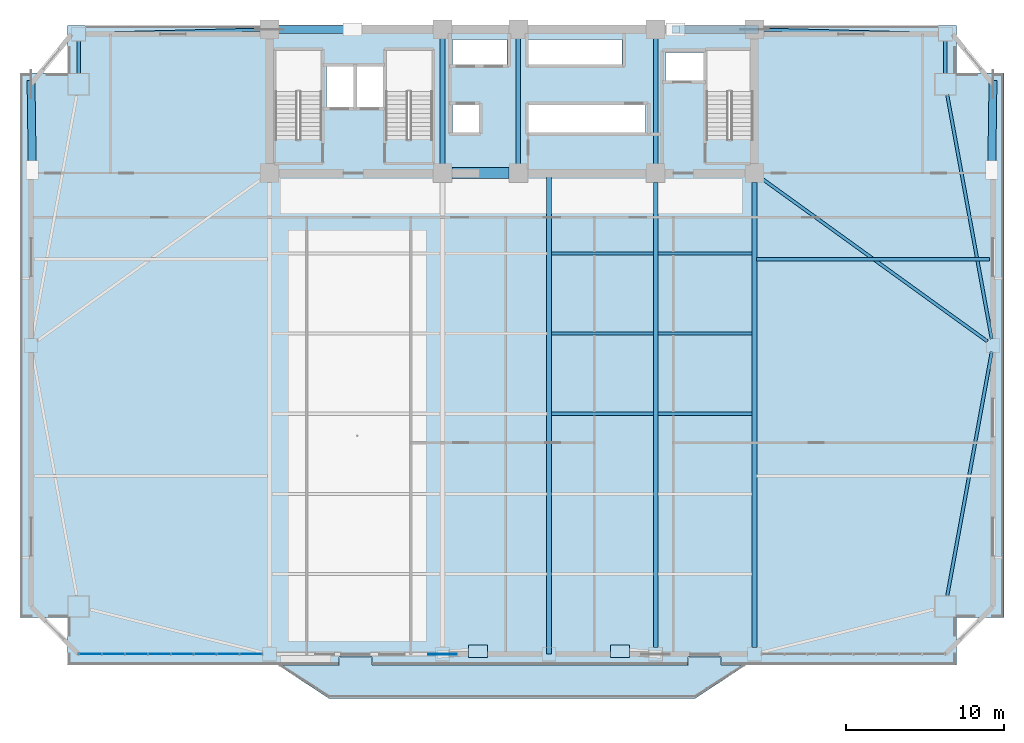
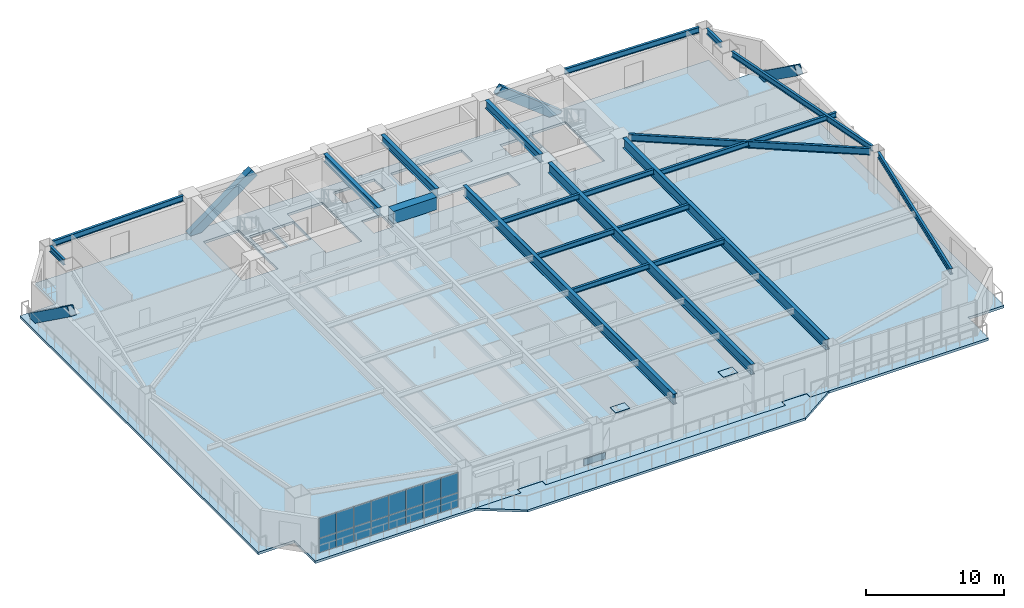
# One storey, part 6 of 15: 21 beams, 19 plates, 4 members, 2 slabs, 1 element without a shape of its own.
"""IFC4 building model written with IfcOpenShell, lengths in metres."""

from ifc_helpers import new_model, si_unit, direction, frame, origin, origin_2d, place, context, subcontext, project, spatial, polyline, rectangle, hollow_rectangle, i_section, outline, extrude, source, transform, mapped, material, layer, layer_set, material_profile, profile_set, type_object, element, aggregate, save


model = new_model("IFC4")

# Units and contexts
model_context = context("Model", 3, precision=1e-05, world=origin(), true_north=direction((0.0, 1.0)))
body_context = subcontext(model_context, "Body", "Model", "MODEL_VIEW")
ifc_project = project(units=[si_unit("LENGTHUNIT", "METRE"), si_unit("AREAUNIT", "SQUARE_METRE"), si_unit("VOLUMEUNIT", "CUBIC_METRE"), si_unit("PLANEANGLEUNIT", "RADIAN"), si_unit("MASSUNIT", "GRAM", prefix="KILO")], contexts=[model_context])

# Site, building, storey
site_placement = place(None, origin())
site = spatial("IfcSite", under=ifc_project, at=site_placement, CompositionType="ELEMENT")
building_placement = place(site_placement, origin())
building = spatial("IfcBuilding", under=site, at=building_placement, Name="Giltprow Tower", CompositionType="ELEMENT")
storey_placement = place(building_placement, frame((0.0, 0.0, 111.39990234375)))
storey = spatial("IfcBuildingStorey", under=building, at=storey_placement, Name="L27", CompositionType="ELEMENT", Elevation=111.39990234375)

# Beams
ifc_material_1 = material(Name="Concrete C60", Category="concrete")
ifc_material_profile_1 = material_profile(ifc_material_1, rectangle(XDim=0.699951171875, YDim=1.10009765625, at=origin_2d()), Name="RC 1100x700")
ifc_profile_set_1 = profile_set([ifc_material_profile_1], Name="Concrete C60")
beam_type_1 = type_object("IfcBeamType", Name="BM-CPL-RC1100", PredefinedType="LINTEL", material=ifc_profile_set_1)
shared_shape_1 = source(origin(), body_context, "Body", "SweptSolid", [
    extrude(rectangle(XDim=0.699951171875, YDim=1.10009765625, at=origin_2d()), origin(), (0.0, 0.0, 1.0), 3.6298828125),
])
beam_1_placement = place(storey_placement, frame((31.385009765625, 37.449951171875, 3.130126953125), z_axis=(1.0, 0.0, 0.0), x_axis=(0.0, 1.0, 0.0)))
element("IfcBeam", 1, at=beam_1_placement, inside=storey, type_object=beam_type_1, Name="L27 Core Coupling Beam CB-1", PredefinedType="LINTEL", context=body_context, shape_type="MappedRepresentation", body=[
    mapped(shared_shape_1, transform((0.0, 0.0, 0.0), x_axis=(1.0, 0.0, 0.0), y_axis=(0.0, 1.0, 0.0), z_axis=(0.0, 0.0, 1.0), scale=1.0)),
])
ifc_material_2 = material(Name="Structural steel Q355B", Category="steel")
ifc_material_profile_2 = material_profile(ifc_material_2, i_section(OverallWidth=0.300048828125, OverallDepth=0.699951171875, WebThickness=0.012939453125, FlangeThickness=0.02392578125, at=origin_2d()), Name="HN 700x300x13x24")
ifc_profile_set_2 = profile_set([ifc_material_profile_2], Name="Structural steel Q355B")
beam_type_2 = type_object("IfcBeamType", Name="BM-GIRD-HN700", PredefinedType="BEAM", material=ifc_profile_set_2)
shared_shape_2 = source(origin(), body_context, "Body", "SweptSolid", [
    extrude(i_section(OverallWidth=0.300048828125, OverallDepth=0.699951171875, WebThickness=0.012939453125, FlangeThickness=0.02392578125, at=origin_2d()), origin(), (0.0, 0.0, 1.0), 7.93017578125),
])
for number, where, z_axis, x_axis, name in (
    (2, (30.800048828125, 38.034912109375, 3.330078125), (0.0, 1.0, 0.0), (-1.0, 0.0, 0.0), "L27 Core Tie Girder M1"),
    (3, (35.60009765625, 38.034912109375, 3.330078125), (0.0, 1.0, 0.0), (-1.0, 0.0, 0.0), "L27 Core Tie Girder M2"),
    (4, (44.300048828125, 38.034912109375, 3.330078125), (0.0, 1.0, 0.0), (-1.0, 0.0, 0.0), "L27 Core Tie Girder M3"),
):
    element("IfcBeam", number, at=place(storey_placement, frame(where, z_axis=z_axis, x_axis=x_axis)), inside=storey, type_object=beam_type_2, Name=name, PredefinedType="BEAM", context=body_context, shape_type="MappedRepresentation", body=[
        mapped(shared_shape_2, transform((0.0, 0.0, 0.0), x_axis=(1.0, 0.0, 0.0), y_axis=(0.0, 1.0, 0.0), z_axis=(0.0, 0.0, 1.0), scale=1.0)),
    ])
ifc_material_profile_3 = material_profile(ifc_material_2, i_section(OverallWidth=0.199951171875, OverallDepth=0.449951171875, WebThickness=0.009033203125, FlangeThickness=0.013916015625, at=origin_2d()), Name="HN 450x200x9x14")
ifc_profile_set_3 = profile_set([ifc_material_profile_3], Name="Structural steel Q355B")
beam_type_3 = type_object("IfcBeamType", Name="BM-JOIST-HN450", PredefinedType="JOIST", material=ifc_profile_set_3)
shared_shape_3 = source(origin(), body_context, "Body", "SweptSolid", [
    extrude(i_section(OverallWidth=0.199951171875, OverallDepth=0.449951171875, WebThickness=0.009033203125, FlangeThickness=0.013916015625, at=origin_2d()), origin(), (0.0, 0.0, 1.0), 6.4599609375),
])
for number, where, z_axis, x_axis, name in (
    (5, (37.695068359375, 22.219970703125, 3.455078125), (1.0, 0.0, 0.0), (0.0, 1.0, 0.0), "L27 Composite Floor Joist 3-3"),
    (6, (37.695068359375, 27.297119140625, 3.455078125), (1.0, 0.0, 0.0), (0.0, 1.0, 0.0), "L27 Composite Floor Joist 4-3"),
    (7, (37.695068359375, 32.373046875, 3.455078125), (1.0, 0.0, 0.0), (0.0, 1.0, 0.0), "L27 Composite Floor Joist 5-3"),
):
    element("IfcBeam", number, at=place(storey_placement, frame(where, z_axis=z_axis, x_axis=x_axis)), inside=storey, type_object=beam_type_3, Name=name, PredefinedType="JOIST", context=body_context, shape_type="MappedRepresentation", body=[
        mapped(shared_shape_3, transform((0.0, 0.0, 0.0), x_axis=(1.0, 0.0, 0.0), y_axis=(0.0, 1.0, 0.0), z_axis=(0.0, 0.0, 1.0), scale=1.0)),
    ])
shared_shape_4 = source(origin(), body_context, "Body", "SweptSolid", [
    extrude(i_section(OverallWidth=0.199951171875, OverallDepth=0.449951171875, WebThickness=0.009033203125, FlangeThickness=0.013916015625, at=origin_2d()), origin(), (0.0, 0.0, 1.0), 5.9599609375),
])
for number, where, z_axis, x_axis, name in (
    (8, (44.445068359375, 22.219970703125, 3.455078125), (1.0, 0.0, 0.0), (0.0, 1.0, 0.0), "L27 Composite Floor Joist 3-4"),
    (9, (44.445068359375, 27.297119140625, 3.455078125), (1.0, 0.0, 0.0), (0.0, 1.0, 0.0), "L27 Composite Floor Joist 4-4"),
    (10, (44.445068359375, 32.373046875, 3.455078125), (1.0, 0.0, 0.0), (0.0, 1.0, 0.0), "L27 Composite Floor Joist 5-4"),
):
    element("IfcBeam", number, at=place(storey_placement, frame(where, z_axis=z_axis, x_axis=x_axis)), inside=storey, type_object=beam_type_3, Name=name, PredefinedType="JOIST", context=body_context, shape_type="MappedRepresentation", body=[
        mapped(shared_shape_4, transform((0.0, 0.0, 0.0), x_axis=(1.0, 0.0, 0.0), y_axis=(0.0, 1.0, 0.0), z_axis=(0.0, 0.0, 1.0), scale=1.0)),
    ])
ifc_material_profile_4 = material_profile(ifc_material_2, i_section(OverallWidth=0.199951171875, OverallDepth=0.5, WebThickness=0.010009765625, FlangeThickness=0.01611328125, at=origin_2d()), Name="HN 500x200x10x16")
ifc_profile_set_4 = profile_set([ifc_material_profile_4], Name="Structural steel Q355B")
beam_type_4 = type_object("IfcBeamType", Name="BM-SPAN-HN500", PredefinedType="SPANDREL", material=ifc_profile_set_4)
shared_shape_5 = source(origin(), body_context, "Body", "SweptSolid", [
    extrude(i_section(OverallWidth=0.199951171875, OverallDepth=0.5, WebThickness=0.010009765625, FlangeThickness=0.01611328125, at=origin_2d()), origin(), (0.0, 0.0, 1.0), 15.690673828125),
])
for number, where, z_axis, x_axis, name in (
    (11, (62.761962890625, 10.680908203125, 3.43017578125), (0.179463224787, 0.983764682711, 0.0), (-0.983764682711, 0.179463224787, 0.0), "L27 Perimeter Spandrel Beam MC_SE-E_MID"),
    (12, (65.577880859375, 26.972900390625, 3.43017578125), (-0.179463224787, 0.983764682711, 0.0), (-0.983764682711, -0.179463224787, 0.0), "L27 Perimeter Spandrel Beam E_MID-MC_NE"),
):
    element("IfcBeam", number, at=place(storey_placement, frame(where, z_axis=z_axis, x_axis=x_axis)), inside=storey, type_object=beam_type_4, Name=name, PredefinedType="SPANDREL", context=body_context, shape_type="MappedRepresentation", body=[
        mapped(shared_shape_5, transform((0.0, 0.0, 0.0), x_axis=(1.0, 0.0, 0.0), y_axis=(0.0, 1.0, 0.0), z_axis=(0.0, 0.0, 1.0), scale=1.0)),
    ])
shared_shape_6 = source(origin(), body_context, "Body", "SweptSolid", [
    extrude(i_section(OverallWidth=0.199951171875, OverallDepth=0.5, WebThickness=0.010009765625, FlangeThickness=0.01611328125, at=origin_2d()), origin(), (0.0, 0.0, 1.0), 2.046875),
])
for number, where, z_axis, x_axis, name in (
    (13, (62.638916015625, 43.76806640625, 3.43017578125), (0.0, 1.0, 0.0), (-1.0, 0.0, 0.0), "L27 Perimeter Spandrel Beam MC_NE-N_E"),
    (14, (7.760986328125, 45.81494140625, 3.43017578125), (0.0, -1.0, 0.0), (1.0, 0.0, 0.0), "L27 Perimeter Spandrel Beam N_W-MC_NW"),
):
    element("IfcBeam", number, at=place(storey_placement, frame(where, z_axis=z_axis, x_axis=x_axis)), inside=storey, type_object=beam_type_4, Name=name, PredefinedType="SPANDREL", context=body_context, shape_type="MappedRepresentation", body=[
        mapped(shared_shape_6, transform((0.0, 0.0, 0.0), x_axis=(1.0, 0.0, 0.0), y_axis=(0.0, 1.0, 0.0), z_axis=(0.0, 0.0, 1.0), scale=1.0)),
    ])
shared_shape_7 = source(origin(), body_context, "Body", "SweptSolid", [
    extrude(i_section(OverallWidth=0.199951171875, OverallDepth=0.5, WebThickness=0.010009765625, FlangeThickness=0.01611328125, at=origin_2d()), origin(), (0.0, 0.0, 1.0), 11.072265625),
])
beam_2_placement = place(storey_placement, frame((8.196044921875, 46.260986328125, 3.43017578125), z_axis=(0.999693922381, 0.024739877827, 0.0), x_axis=(-0.024739877827, 0.999693922381, 0.0)))
element("IfcBeam", 15, at=beam_2_placement, inside=storey, type_object=beam_type_4, Name="L27 North Wing Spandrel W", PredefinedType="SPANDREL", context=body_context, shape_type="MappedRepresentation", body=[
    mapped(shared_shape_7, transform((0.0, 0.0, 0.0), x_axis=(1.0, 0.0, 0.0), y_axis=(0.0, 1.0, 0.0), z_axis=(0.0, 0.0, 1.0), scale=1.0)),
])
shared_shape_8 = source(origin(), body_context, "Body", "SweptSolid", [
    extrude(i_section(OverallWidth=0.199951171875, OverallDepth=0.5, WebThickness=0.010009765625, FlangeThickness=0.01611328125, at=origin_2d()), origin(), (0.0, 0.0, 1.0), 11.072509765625),
])
beam_3_placement = place(storey_placement, frame((51.135009765625, 46.534912109375, 3.43017578125), z_axis=(0.999693935876, -0.024739332496, 0.0), x_axis=(0.024739332496, 0.999693935876, 0.0)))
element("IfcBeam", 16, at=beam_3_placement, inside=storey, type_object=beam_type_4, Name="L27 North Wing Spandrel E", PredefinedType="SPANDREL", context=body_context, shape_type="MappedRepresentation", body=[
    mapped(shared_shape_8, transform((0.0, 0.0, 0.0), x_axis=(1.0, 0.0, 0.0), y_axis=(0.0, 1.0, 0.0), z_axis=(0.0, 0.0, 1.0), scale=1.0)),
])
ifc_material_profile_5 = material_profile(ifc_material_2, i_section(OverallWidth=0.300048828125, OverallDepth=0.89990234375, WebThickness=0.01611328125, FlangeThickness=0.028076171875, at=origin_2d()), Name="HN 900x300x16x28")
ifc_profile_set_5 = profile_set([ifc_material_profile_5], Name="Structural steel Q355B")
beam_type_5 = type_object("IfcBeamType", Name="BM-GIRD-HN900", PredefinedType="BEAM", material=ifc_profile_set_5)
shared_shape_9 = source(origin(), body_context, "Body", "SweptSolid", [
    extrude(i_section(OverallWidth=0.300048828125, OverallDepth=0.89990234375, WebThickness=0.01611328125, FlangeThickness=0.028076171875, at=origin_2d()), origin(), (0.0, 0.0, 1.0), 29.43994140625),
])
for number, where, z_axis, x_axis, name in (
    (17, (44.300048828125, 7.425048828125, 3.22998046875), (0.0, 1.0, 0.0), (-1.0, 0.0, 0.0), "L27 Primary Lease Girder S3"),
    (18, (50.550048828125, 7.425048828125, 3.22998046875), (0.0, 1.0, 0.0), (-1.0, 0.0, 0.0), "L27 Primary Lease Girder S4"),
):
    element("IfcBeam", number, at=place(storey_placement, frame(where, z_axis=z_axis, x_axis=x_axis)), inside=storey, type_object=beam_type_5, Name=name, PredefinedType="BEAM", context=body_context, shape_type="MappedRepresentation", body=[
        mapped(shared_shape_9, transform((0.0, 0.0, 0.0), x_axis=(1.0, 0.0, 0.0), y_axis=(0.0, 1.0, 0.0), z_axis=(0.0, 0.0, 1.0), scale=1.0)),
    ])
shared_shape_10 = source(origin(), body_context, "Body", "SweptSolid", [
    extrude(i_section(OverallWidth=0.300048828125, OverallDepth=0.89990234375, WebThickness=0.01611328125, FlangeThickness=0.028076171875, at=origin_2d()), origin(), (0.0, 0.0, 1.0), 30.4599609375),
])
beam_4_placement = place(storey_placement, frame((37.550048828125, 6.989990234375, 3.22998046875), z_axis=(0.0, 1.0, 0.0), x_axis=(-1.0, 0.0, 0.0)))
element("IfcBeam", 19, at=beam_4_placement, inside=storey, type_object=beam_type_5, Name="L27 Central Lease Girder SMID", PredefinedType="BEAM", context=body_context, shape_type="MappedRepresentation", body=[
    mapped(shared_shape_10, transform((0.0, 0.0, 0.0), x_axis=(1.0, 0.0, 0.0), y_axis=(0.0, 1.0, 0.0), z_axis=(0.0, 0.0, 1.0), scale=1.0)),
])
ifc_material_profile_6 = material_profile(ifc_material_2, i_section(OverallWidth=0.199951171875, OverallDepth=0.60009765625, WebThickness=0.010986328125, FlangeThickness=0.01708984375, at=origin_2d()), Name="HN 600x200x11x17")
ifc_profile_set_6 = profile_set([ifc_material_profile_6], Name="Structural steel Q355B")
beam_type_6 = type_object("IfcBeamType", Name="BM-GIRD-HN600", PredefinedType="BEAM", material=ifc_profile_set_6)
shared_shape_11 = source(origin(), body_context, "Body", "SweptSolid", [
    extrude(i_section(OverallWidth=0.199951171875, OverallDepth=0.60009765625, WebThickness=0.010986328125, FlangeThickness=0.01708984375, at=origin_2d()), origin(), (0.0, 0.0, 1.0), 17.61083984375),
])
beam_5_placement = place(storey_placement, frame((65.302978515625, 26.800048828125, 3.380126953125), z_axis=(-0.810808250373, 0.585311866552, 0.0), x_axis=(-0.585311866552, -0.810808250373, 0.0)))
element("IfcBeam", 20, at=beam_5_placement, inside=storey, type_object=beam_type_6, Name="L27 East Wing Primary Girder", PredefinedType="BEAM", context=body_context, shape_type="MappedRepresentation", body=[
    mapped(shared_shape_11, transform((0.0, 0.0, 0.0), x_axis=(1.0, 0.0, 0.0), y_axis=(0.0, 1.0, 0.0), z_axis=(0.0, 0.0, 1.0), scale=1.0)),
])
shared_shape_12 = source(origin(), body_context, "Body", "SweptSolid", [
    extrude(i_section(OverallWidth=0.199951171875, OverallDepth=0.449951171875, WebThickness=0.009033203125, FlangeThickness=0.013916015625, at=origin_2d()), origin(), (0.0, 0.0, 1.0), 14.740966796875),
])
beam_6_placement = place(storey_placement, frame((50.695068359375, 31.998046875, 3.455078125), z_axis=(1.0, 0.0, 0.0), x_axis=(0.0, 1.0, 0.0)))
element("IfcBeam", 21, at=beam_6_placement, inside=storey, type_object=beam_type_3, Name="L27 East Wing Floor Joist 2", PredefinedType="JOIST", context=body_context, shape_type="MappedRepresentation", body=[
    mapped(shared_shape_12, transform((0.0, 0.0, 0.0), x_axis=(1.0, 0.0, 0.0), y_axis=(0.0, 1.0, 0.0), z_axis=(0.0, 0.0, 1.0), scale=1.0)),
])

# Members
ifc_material_3 = material(Name="Structural steel Q420GJC", Category="steel")
ifc_material_profile_7 = material_profile(ifc_material_3, hollow_rectangle(XDim=0.5, YDim=0.800048828125, WallThickness=0.035888671875, at=origin_2d()), Name="RHS 800x500x36")
ifc_profile_set_7 = profile_set([ifc_material_profile_7], Name="Structural steel Q420GJC")
member_type = type_object("IfcMemberType", Name="MBR-MEGA-RHS800", PredefinedType="BRACE", material=ifc_profile_set_7)
shared_shape_13 = source(origin(), body_context, "Body", "SweptSolid", [
    extrude(hollow_rectangle(XDim=0.5, YDim=0.800048828125, WallThickness=0.035888671875, at=origin_2d()), origin(), (0.0, 0.0, 1.0), 6.5400390625),
])
member_1_placement = place(storey_placement, frame((19.85009765625, 46.550048828125, -0.139892578125), z_axis=(0.802750995836, 0.0, 0.596314379068), x_axis=(0.0, 1.0, 0.0)))
element("IfcMember", 22, at=member_1_placement, inside=storey, type_object=member_type, Name="L27 Chevron Mega-Brace N-L", PredefinedType="BRACE", context=body_context, shape_type="MappedRepresentation", body=[
    mapped(shared_shape_13, transform((0.0, 0.0, 0.0), x_axis=(1.0, 0.0, 0.0), y_axis=(0.0, 1.0, 0.0), z_axis=(0.0, 0.0, 1.0), scale=1.0)),
])
shared_shape_14 = source(origin(), body_context, "Body", "SweptSolid", [
    extrude(hollow_rectangle(XDim=0.5, YDim=0.800048828125, WallThickness=0.035888671875, at=origin_2d()), origin(), (0.0, 0.0, 1.0), 6.327880859375),
])
member_2_placement = place(storey_placement, frame((50.550048828125, 46.550048828125, -0.139892578125), z_axis=(-0.787501744349, 0.0, 0.616312422921), x_axis=(0.0, -1.0, 0.0)))
element("IfcMember", 23, at=member_2_placement, inside=storey, type_object=member_type, Name="L27 Chevron Mega-Brace N-R", PredefinedType="BRACE", context=body_context, shape_type="MappedRepresentation", body=[
    mapped(shared_shape_14, transform((0.0, 0.0, 0.0), x_axis=(1.0, 0.0, 0.0), y_axis=(0.0, 1.0, 0.0), z_axis=(0.0, 0.0, 1.0), scale=1.0)),
])
shared_shape_15 = source(origin(), body_context, "Body", "SweptSolid", [
    extrude(hollow_rectangle(XDim=0.5, YDim=0.800048828125, WallThickness=0.035888671875, at=origin_2d()), origin(), (0.0, 0.0, 1.0), 6.681884765625),
])
for number, where, z_axis, x_axis, name in (
    (24, (4.743896484375, 43.0830078125, 0.0), (0.011691953402, -0.811896551673, 0.583684236217), (0.999896324719, 0.014399299037, 0.0), "L27 Chevron Mega-Brace W-R"),
    (25, (65.656005859375, 43.0830078125, 0.0), (-0.011691953402, -0.811896551673, 0.583684236217), (0.999896324719, -0.014399299037, 0.0), "L27 Chevron Mega-Brace E-R"),
):
    element("IfcMember", number, at=place(storey_placement, frame(where, z_axis=z_axis, x_axis=x_axis)), inside=storey, type_object=member_type, Name=name, PredefinedType="BRACE", context=body_context, shape_type="MappedRepresentation", body=[
        mapped(shared_shape_15, transform((0.0, 0.0, 0.0), x_axis=(1.0, 0.0, 0.0), y_axis=(0.0, 1.0, 0.0), z_axis=(0.0, 0.0, 1.0), scale=1.0)),
    ])

# Slabs
ifc_material_4 = material(Name="Concrete C40", Category="concrete")
ifc_layer_1 = layer(ifc_material_4, 0.199951171875, Name="Concrete C40")
ifc_layer_set_1 = layer_set([ifc_layer_1], Name="Concrete C40")
slab_type_1 = type_object("IfcSlabType", Name="SLB-BALC-BRONZE-200", PredefinedType="FLOOR", material=ifc_layer_set_1)
slab_1_placement = place(storey_placement, frame((0.0, 0.0, -0.199951171875)))
element("IfcSlab", 26, at=slab_1_placement, inside=storey, type_object=slab_type_1, Name="L27 Bronze Prow Waterfront Balcony Slab", PredefinedType="FLOOR", context=body_context, shape_type="SweptSolid", body=[
    extrude(outline(polyline([(50.0, 6.2900390625), (46.800048828125, 4.18994140625), (23.60009765625, 4.18994140625), (20.39990234375, 6.2900390625), (24.280029296875, 6.2900390625), (24.280029296875, 6.7900390625), (26.320068359375, 6.7900390625), (26.320068359375, 6.2900390625), (46.3798828125, 6.2900390625), (46.3798828125, 6.7900390625), (48.419921875, 6.7900390625), (48.419921875, 6.2900390625), (50.0, 6.2900390625)])), origin(), (0.0, 0.0, 1.0), 0.199951171875),
])
ifc_layer_2 = layer(ifc_material_4, 0.219970703125, Name="Concrete C40")
ifc_layer_set_2 = layer_set([ifc_layer_2], Name="Concrete C40")
slab_type_2 = type_object("IfcSlabType", Name="SLB-OFF-220", PredefinedType="FLOOR", material=ifc_layer_set_2)
slab_2_placement = place(storey_placement, frame((0.0, 0.0, -0.219970703125)))
element("IfcSlab", 27, at=slab_2_placement, inside=storey, type_object=slab_type_2, Name="L27 Structural Composite Floor Slab", PredefinedType="FLOOR", context=body_context, shape_type="SweptSolid", body=[
    extrude(outline(polyline([(7.06103515625, 6.2900390625), (7.06103515625, 9.306884765625), (4.0439453125, 9.306884765625), (4.0439453125, 43.782958984375), (7.06103515625, 43.782958984375), (7.06103515625, 46.800048828125), (63.339111328125, 46.800048828125), (63.339111328125, 43.782958984375), (66.35595703125, 43.782958984375), (66.35595703125, 9.306884765625), (63.339111328125, 9.306884765625), (63.339111328125, 6.2900390625), (48.449951171875, 6.2900390625), (48.449951171875, 6.81005859375), (46.35009765625, 6.81005859375), (46.35009765625, 6.2900390625), (26.35009765625, 6.2900390625), (26.35009765625, 6.81005859375), (24.25, 6.81005859375), (24.25, 6.2900390625), (7.06103515625, 6.2900390625)]), holes=[polyline([(33.10009765625, 41.800048828125), (31.419921875, 41.800048828125), (31.419921875, 40.0), (33.10009765625, 40.0), (33.10009765625, 41.800048828125)]), polyline([(23.159912109375, 39.570068359375), (23.159912109375, 45.25), (20.199951171875, 45.25), (20.199951171875, 39.570068359375), (23.159912109375, 39.570068359375)]), polyline([(30.159912109375, 45.25), (27.199951171875, 45.25), (27.199951171875, 39.570068359375), (30.159912109375, 39.570068359375), (30.159912109375, 45.25)]), polyline([(25.169921875, 41.60009765625), (25.169921875, 44.199951171875), (23.449951171875, 44.199951171875), (23.449951171875, 41.60009765625), (25.169921875, 41.60009765625)]), polyline([(27.10009765625, 41.60009765625), (27.10009765625, 44.199951171875), (25.35009765625, 44.199951171875), (25.35009765625, 41.60009765625), (27.10009765625, 41.60009765625)]), polyline([(43.659912109375, 40.0), (43.659912109375, 41.800048828125), (36.239990234375, 41.800048828125), (36.239990234375, 40.0), (43.659912109375, 40.0)]), polyline([(50.4599609375, 39.570068359375), (50.4599609375, 45.25), (47.5, 45.25), (47.5, 39.570068359375), (50.4599609375, 39.570068359375)]), polyline([(47.3798828125, 45.10009765625), (44.919921875, 45.10009765625), (44.919921875, 43.300048828125), (47.3798828125, 43.300048828125), (47.3798828125, 45.10009765625)]), polyline([(34.8798828125, 44.300048828125), (34.8798828125, 45.919921875), (31.419921875, 45.919921875), (31.419921875, 44.300048828125), (34.8798828125, 44.300048828125)]), polyline([(42.169921875, 44.300048828125), (42.169921875, 45.919921875), (36.239990234375, 45.919921875), (36.239990234375, 44.300048828125), (42.169921875, 44.300048828125)])]), origin(), (0.0, 0.0, 1.0), 0.219970703125),
])

# Plates
plate_type_1 = type_object("IfcPlateType", Name="PLT-NODE-MBN1", PredefinedType="USERDEFINED", material=ifc_material_3)
shared_shape_16 = source(origin(), body_context, "Body", "SweptSolid", [
    extrude(rectangle(XDim=1.800048828125, YDim=0.050048828125, at=origin_2d()), origin(), (0.0, 0.0, 1.0), 1.14990234375),
])
plate_1_placement = place(storey_placement, frame((30.800048828125, 6.989990234375, -0.574951171875), z_axis=(0.0, 0.0, 1.0), x_axis=(1.0, 0.0, 0.0)))
element("IfcPlate", 28, at=plate_1_placement, inside=storey, type_object=plate_type_1, Name="Mega-Brace Node L27-S-LA", ObjectType="GUSSET", PredefinedType="USERDEFINED", context=body_context, shape_type="MappedRepresentation", body=[
    mapped(shared_shape_16, transform((0.0, 0.0, 0.0), x_axis=(1.0, 0.0, 0.0), y_axis=(0.0, 1.0, 0.0), z_axis=(0.0, 0.0, 1.0), scale=1.0)),
])
plate_type_2 = type_object("IfcPlateType", Name="PLT-CAP-SEAL", PredefinedType="USERDEFINED", material=ifc_material_3)
shared_shape_17 = source(origin(), body_context, "Body", "SweptSolid", [
    extrude(rectangle(XDim=1.199951171875, YDim=0.800048828125, at=origin_2d()), origin(), (0.0, 0.0, 1.0), 0.034912109375),
])
for number, where, z_axis, x_axis, name in (
    (29, (33.050048828125, 7.166015625, 3.8828125), (0.0, 0.0, 1.0), (1.0, 0.0, 0.0), "Mega-Brace Node L27-S-LB"),
    (30, (42.050048828125, 7.166015625, 3.8828125), (0.0, 0.0, 1.0), (1.0, 0.0, 0.0), "Mega-Brace Node L27-S-RB"),
):
    element("IfcPlate", number, at=place(storey_placement, frame(where, z_axis=z_axis, x_axis=x_axis)), inside=storey, type_object=plate_type_2, Name=name, ObjectType="SPLICE", PredefinedType="USERDEFINED", context=body_context, shape_type="MappedRepresentation", body=[
        mapped(shared_shape_17, transform((0.0, 0.0, 0.0), x_axis=(1.0, 0.0, 0.0), y_axis=(0.0, 1.0, 0.0), z_axis=(0.0, 0.0, 1.0), scale=1.0)),
    ])

# Curtain wall, plates
ifc_material_5 = material(Name="Anodized bronze", Category="metal")
ifc_layer_3 = layer(ifc_material_5, 0.179931640625, Name="Anodized bronze")
ifc_layer_set_3 = layer_set([ifc_layer_3], Name="Anodized bronze")
curtain_wall_type = type_object("IfcCurtainWallType", Name="CW-OFF-RECESSED", PredefinedType="NOTDEFINED", material=ifc_layer_set_3)
curtain_wall_placement = place(storey_placement, origin())
curtain_wall = element("IfcCurtainWall", 31, at=curtain_wall_placement, inside=storey, type_object=curtain_wall_type, Name="L27 South Recessed Curtain Wall 1", PredefinedType="NOTDEFINED")
ifc_material_6 = material(Name="Insulated glass", Category="glass")
plate_type_3 = type_object("IfcPlateType", Name="CW-PANEL-IGU-28", PredefinedType="CURTAIN_PANEL", material=ifc_material_6)
shared_shape_18 = source(origin(), body_context, "Body", "SweptSolid", [
    extrude(rectangle(XDim=1.425048828125, YDim=0.028076171875, at=origin_2d()), origin(), (0.0, 0.0, 1.0), 1.259033203125),
])
plate_2_placement = place(storey_placement, frame((8.488037109375, 6.989990234375, 0.0546875), z_axis=(0.0, 0.0, 1.0), x_axis=(1.0, 0.0, 0.0)))
plate_2 = element("IfcPlate", 32, at=plate_2_placement, type_object=plate_type_3, Name="L27 South Recessed Curtain Wall 1 Glazing Panel 1-1", PredefinedType="CURTAIN_PANEL", context=body_context, shape_type="MappedRepresentation", body=[
    mapped(shared_shape_18, transform((0.0, 0.0, 0.0), x_axis=(1.0, 0.0, 0.0), y_axis=(0.0, 1.0, 0.0), z_axis=(0.0, 0.0, 1.0), scale=1.0)),
])
plate_3_placement = place(storey_placement, frame((9.943115234375, 6.989990234375, 0.0546875), z_axis=(0.0, 0.0, 1.0), x_axis=(1.0, 0.0, 0.0)))
plate_3 = element("IfcPlate", 33, at=plate_3_placement, type_object=plate_type_3, Name="L27 South Recessed Curtain Wall 1 Glazing Panel 2-1", PredefinedType="CURTAIN_PANEL", context=body_context, shape_type="MappedRepresentation", body=[
    mapped(shared_shape_18, transform((0.0, 0.0, 0.0), x_axis=(1.0, 0.0, 0.0), y_axis=(0.0, 1.0, 0.0), z_axis=(0.0, 0.0, 1.0), scale=1.0)),
])
plate_4_placement = place(storey_placement, frame((11.39794921875, 6.989990234375, 0.0546875), z_axis=(0.0, 0.0, 1.0), x_axis=(1.0, 0.0, 0.0)))
plate_4 = element("IfcPlate", 34, at=plate_4_placement, type_object=plate_type_3, Name="L27 South Recessed Curtain Wall 1 Glazing Panel 3-1", PredefinedType="CURTAIN_PANEL", context=body_context, shape_type="MappedRepresentation", body=[
    mapped(shared_shape_18, transform((0.0, 0.0, 0.0), x_axis=(1.0, 0.0, 0.0), y_axis=(0.0, 1.0, 0.0), z_axis=(0.0, 0.0, 1.0), scale=1.0)),
])
plate_5_placement = place(storey_placement, frame((12.85302734375, 6.989990234375, 0.0546875), z_axis=(0.0, 0.0, 1.0), x_axis=(1.0, 0.0, 0.0)))
plate_5 = element("IfcPlate", 35, at=plate_5_placement, type_object=plate_type_3, Name="L27 South Recessed Curtain Wall 1 Glazing Panel 4-1", PredefinedType="CURTAIN_PANEL", context=body_context, shape_type="MappedRepresentation", body=[
    mapped(shared_shape_18, transform((0.0, 0.0, 0.0), x_axis=(1.0, 0.0, 0.0), y_axis=(0.0, 1.0, 0.0), z_axis=(0.0, 0.0, 1.0), scale=1.0)),
])
plate_6_placement = place(storey_placement, frame((14.30810546875, 6.989990234375, 0.0546875), z_axis=(0.0, 0.0, 1.0), x_axis=(1.0, 0.0, 0.0)))
plate_6 = element("IfcPlate", 36, at=plate_6_placement, type_object=plate_type_3, Name="L27 South Recessed Curtain Wall 1 Glazing Panel 5-1", PredefinedType="CURTAIN_PANEL", context=body_context, shape_type="MappedRepresentation", body=[
    mapped(shared_shape_18, transform((0.0, 0.0, 0.0), x_axis=(1.0, 0.0, 0.0), y_axis=(0.0, 1.0, 0.0), z_axis=(0.0, 0.0, 1.0), scale=1.0)),
])
plate_7_placement = place(storey_placement, frame((15.762939453125, 6.989990234375, 0.0546875), z_axis=(0.0, 0.0, 1.0), x_axis=(1.0, 0.0, 0.0)))
plate_7 = element("IfcPlate", 37, at=plate_7_placement, type_object=plate_type_3, Name="L27 South Recessed Curtain Wall 1 Glazing Panel 6-1", PredefinedType="CURTAIN_PANEL", context=body_context, shape_type="MappedRepresentation", body=[
    mapped(shared_shape_18, transform((0.0, 0.0, 0.0), x_axis=(1.0, 0.0, 0.0), y_axis=(0.0, 1.0, 0.0), z_axis=(0.0, 0.0, 1.0), scale=1.0)),
])
plate_8_placement = place(storey_placement, frame((17.218017578125, 6.989990234375, 0.0546875), z_axis=(0.0, 0.0, 1.0), x_axis=(1.0, 0.0, 0.0)))
plate_8 = element("IfcPlate", 38, at=plate_8_placement, type_object=plate_type_3, Name="L27 South Recessed Curtain Wall 1 Glazing Panel 7-1", PredefinedType="CURTAIN_PANEL", context=body_context, shape_type="MappedRepresentation", body=[
    mapped(shared_shape_18, transform((0.0, 0.0, 0.0), x_axis=(1.0, 0.0, 0.0), y_axis=(0.0, 1.0, 0.0), z_axis=(0.0, 0.0, 1.0), scale=1.0)),
])
plate_9_placement = place(storey_placement, frame((18.673095703125, 6.989990234375, 0.0546875), z_axis=(0.0, 0.0, 1.0), x_axis=(1.0, 0.0, 0.0)))
plate_9 = element("IfcPlate", 39, at=plate_9_placement, type_object=plate_type_3, Name="L27 South Recessed Curtain Wall 1 Glazing Panel 8-1", PredefinedType="CURTAIN_PANEL", context=body_context, shape_type="MappedRepresentation", body=[
    mapped(shared_shape_18, transform((0.0, 0.0, 0.0), x_axis=(1.0, 0.0, 0.0), y_axis=(0.0, 1.0, 0.0), z_axis=(0.0, 0.0, 1.0), scale=1.0)),
])
shared_shape_19 = source(origin(), body_context, "Body", "SweptSolid", [
    extrude(rectangle(XDim=1.425048828125, YDim=0.028076171875, at=origin_2d()), origin(), (0.0, 0.0, 1.0), 1.764892578125),
])
plate_10_placement = place(storey_placement, frame((8.488037109375, 6.989990234375, 1.341796875), z_axis=(0.0, 0.0, 1.0), x_axis=(1.0, 0.0, 0.0)))
plate_10 = element("IfcPlate", 40, at=plate_10_placement, type_object=plate_type_3, Name="L27 South Recessed Curtain Wall 1 Glazing Panel 1-2", PredefinedType="CURTAIN_PANEL", context=body_context, shape_type="MappedRepresentation", body=[
    mapped(shared_shape_19, transform((0.0, 0.0, 0.0), x_axis=(1.0, 0.0, 0.0), y_axis=(0.0, 1.0, 0.0), z_axis=(0.0, 0.0, 1.0), scale=1.0)),
])
plate_11_placement = place(storey_placement, frame((9.943115234375, 6.989990234375, 1.341796875), z_axis=(0.0, 0.0, 1.0), x_axis=(1.0, 0.0, 0.0)))
plate_11 = element("IfcPlate", 41, at=plate_11_placement, type_object=plate_type_3, Name="L27 South Recessed Curtain Wall 1 Glazing Panel 2-2", PredefinedType="CURTAIN_PANEL", context=body_context, shape_type="MappedRepresentation", body=[
    mapped(shared_shape_19, transform((0.0, 0.0, 0.0), x_axis=(1.0, 0.0, 0.0), y_axis=(0.0, 1.0, 0.0), z_axis=(0.0, 0.0, 1.0), scale=1.0)),
])
plate_12_placement = place(storey_placement, frame((11.39794921875, 6.989990234375, 1.341796875), z_axis=(0.0, 0.0, 1.0), x_axis=(1.0, 0.0, 0.0)))
plate_12 = element("IfcPlate", 42, at=plate_12_placement, type_object=plate_type_3, Name="L27 South Recessed Curtain Wall 1 Glazing Panel 3-2", PredefinedType="CURTAIN_PANEL", context=body_context, shape_type="MappedRepresentation", body=[
    mapped(shared_shape_19, transform((0.0, 0.0, 0.0), x_axis=(1.0, 0.0, 0.0), y_axis=(0.0, 1.0, 0.0), z_axis=(0.0, 0.0, 1.0), scale=1.0)),
])
plate_13_placement = place(storey_placement, frame((12.85302734375, 6.989990234375, 1.341796875), z_axis=(0.0, 0.0, 1.0), x_axis=(1.0, 0.0, 0.0)))
plate_13 = element("IfcPlate", 43, at=plate_13_placement, type_object=plate_type_3, Name="L27 South Recessed Curtain Wall 1 Glazing Panel 4-2", PredefinedType="CURTAIN_PANEL", context=body_context, shape_type="MappedRepresentation", body=[
    mapped(shared_shape_19, transform((0.0, 0.0, 0.0), x_axis=(1.0, 0.0, 0.0), y_axis=(0.0, 1.0, 0.0), z_axis=(0.0, 0.0, 1.0), scale=1.0)),
])
plate_14_placement = place(storey_placement, frame((14.30810546875, 6.989990234375, 1.341796875), z_axis=(0.0, 0.0, 1.0), x_axis=(1.0, 0.0, 0.0)))
plate_14 = element("IfcPlate", 44, at=plate_14_placement, type_object=plate_type_3, Name="L27 South Recessed Curtain Wall 1 Glazing Panel 5-2", PredefinedType="CURTAIN_PANEL", context=body_context, shape_type="MappedRepresentation", body=[
    mapped(shared_shape_19, transform((0.0, 0.0, 0.0), x_axis=(1.0, 0.0, 0.0), y_axis=(0.0, 1.0, 0.0), z_axis=(0.0, 0.0, 1.0), scale=1.0)),
])
plate_15_placement = place(storey_placement, frame((15.762939453125, 6.989990234375, 1.341796875), z_axis=(0.0, 0.0, 1.0), x_axis=(1.0, 0.0, 0.0)))
plate_15 = element("IfcPlate", 45, at=plate_15_placement, type_object=plate_type_3, Name="L27 South Recessed Curtain Wall 1 Glazing Panel 6-2", PredefinedType="CURTAIN_PANEL", context=body_context, shape_type="MappedRepresentation", body=[
    mapped(shared_shape_19, transform((0.0, 0.0, 0.0), x_axis=(1.0, 0.0, 0.0), y_axis=(0.0, 1.0, 0.0), z_axis=(0.0, 0.0, 1.0), scale=1.0)),
])
plate_16_placement = place(storey_placement, frame((17.218017578125, 6.989990234375, 1.341796875), z_axis=(0.0, 0.0, 1.0), x_axis=(1.0, 0.0, 0.0)))
plate_16 = element("IfcPlate", 46, at=plate_16_placement, type_object=plate_type_3, Name="L27 South Recessed Curtain Wall 1 Glazing Panel 7-2", PredefinedType="CURTAIN_PANEL", context=body_context, shape_type="MappedRepresentation", body=[
    mapped(shared_shape_19, transform((0.0, 0.0, 0.0), x_axis=(1.0, 0.0, 0.0), y_axis=(0.0, 1.0, 0.0), z_axis=(0.0, 0.0, 1.0), scale=1.0)),
])
plate_17_placement = place(storey_placement, frame((18.673095703125, 6.989990234375, 1.341796875), z_axis=(0.0, 0.0, 1.0), x_axis=(1.0, 0.0, 0.0)))
plate_17 = element("IfcPlate", 47, at=plate_17_placement, type_object=plate_type_3, Name="L27 South Recessed Curtain Wall 1 Glazing Panel 8-2", PredefinedType="CURTAIN_PANEL", context=body_context, shape_type="MappedRepresentation", body=[
    mapped(shared_shape_19, transform((0.0, 0.0, 0.0), x_axis=(1.0, 0.0, 0.0), y_axis=(0.0, 1.0, 0.0), z_axis=(0.0, 0.0, 1.0), scale=1.0)),
])
aggregate(curtain_wall, [plate_2, plate_10, plate_3, plate_11, plate_4, plate_12, plate_5, plate_13, plate_6, plate_14, plate_7, plate_15, plate_8, plate_16, plate_9, plate_17])

save(model, "model.ifc")
